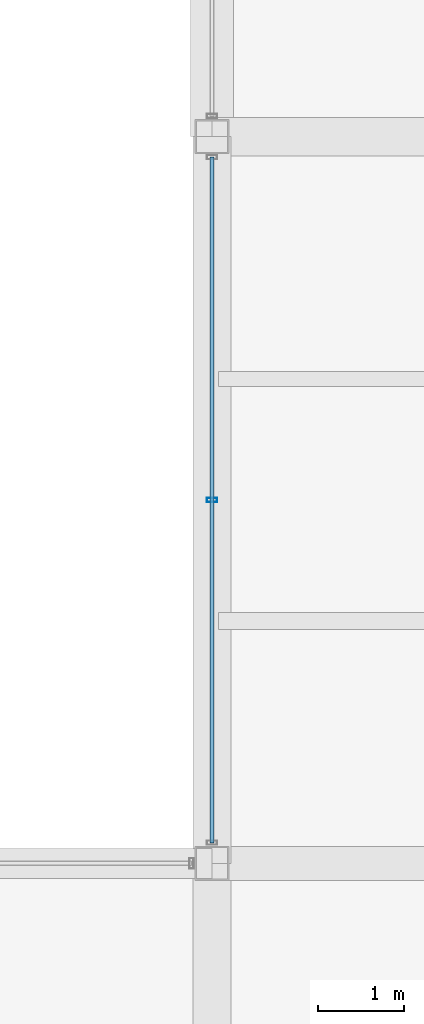
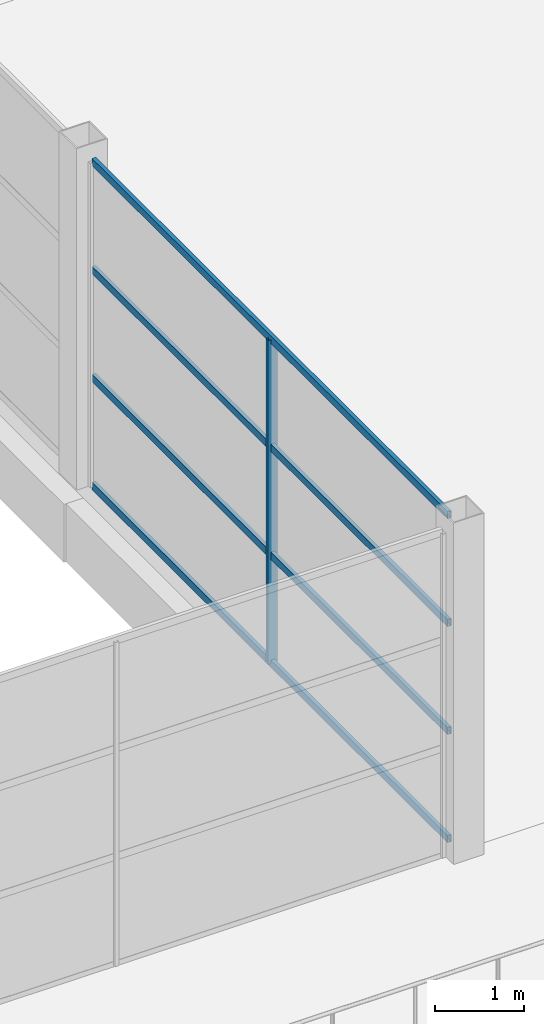
# One storey, part 70 of 112: 5 members, 1 element without a shape of its own.
"""IFC4 building model written with IfcOpenShell, lengths in metres."""

from ifc_helpers import new_model, si_unit, direction, frame, origin, origin_2d, place, context, subcontext, project, spatial, hollow_rectangle, extrude, material, material_profile, profile_set, type_object, element, aggregate, save


model = new_model("IFC4")

# Units and contexts
model_context = context("Model", 3, precision=1e-05, world=origin(), true_north=direction((0.0, 1.0)))
body_context = subcontext(model_context, "Body", "Model", "MODEL_VIEW")
ifc_project = project(units=[si_unit("LENGTHUNIT", "METRE"), si_unit("AREAUNIT", "SQUARE_METRE"), si_unit("VOLUMEUNIT", "CUBIC_METRE"), si_unit("PLANEANGLEUNIT", "RADIAN"), si_unit("MASSUNIT", "GRAM", prefix="KILO")], contexts=[model_context])

# Site, building, storey
site_placement = place(None, origin())
site = spatial("IfcSite", under=ifc_project, at=site_placement, CompositionType="ELEMENT")
building_placement = place(site_placement, origin())
building = spatial("IfcBuilding", under=site, at=building_placement, Name="Solvikara Media Centre", CompositionType="ELEMENT")
storey_placement = place(building_placement, frame((0.0, 0.0, 5.39990234375)))
storey = spatial("IfcBuildingStorey", under=building, at=storey_placement, Name="L01", CompositionType="ELEMENT", Elevation=5.39990234375)

# Curtain wall, members
ifc_material = material(Name="Anodised aluminium EN AW-6063", Category="aluminium")
curtain_wall_type = type_object("IfcCurtainWallType", Name="CW-12", PredefinedType="NOTDEFINED", material=ifc_material)
curtain_wall_placement = place(storey_placement, origin())
curtain_wall = element("IfcCurtainWall", 1, at=curtain_wall_placement, inside=storey, type_object=curtain_wall_type, Name="CW-L01-CRT-2-S1", PredefinedType="NOTDEFINED")
ifc_material_profile_1 = material_profile(ifc_material, hollow_rectangle(XDim=0.050048828125, YDim=0.1201171875, WallThickness=0.0029296875, at=origin_2d()), Name="ALU-M 50x120x3")
ifc_profile_set_1 = profile_set([ifc_material_profile_1], Name="Anodised aluminium EN AW-6063")
member_type_1 = type_object("IfcMemberType", Name="MF-06", PredefinedType="MULLION", material=ifc_profile_set_1)
member_1_placement = place(storey_placement, frame((154.5, 76.25, 0.02001953125), z_axis=(0.0, 0.0, 1.0), x_axis=(0.0, 1.0, 0.0)))
member_1 = element("IfcMember", 2, at=member_1_placement, type_object=member_type_1, Name="CW-L01-CRT-2-S1-M01", PredefinedType="MULLION", context=body_context, shape_type="SweptSolid", body=[
    extrude(hollow_rectangle(XDim=0.050048828125, YDim=0.1201171875, WallThickness=0.0029296875, at=origin_2d()), origin(), (0.0, 0.0, 1.0), 4.4599609375),
])
ifc_material_profile_2 = material_profile(ifc_material, hollow_rectangle(XDim=0.050048828125, YDim=0.10009765625, WallThickness=0.0029296875, at=origin_2d()), Name="ALU-T 50x100x3")
ifc_profile_set_2 = profile_set([ifc_material_profile_2], Name="Anodised aluminium EN AW-6063")
member_type_2 = type_object("IfcMemberType", Name="MF-12", PredefinedType="USERDEFINED", material=ifc_profile_set_2)
member_2_placement = place(storey_placement, frame((154.5, 72.239990234375, 0.02001953125), z_axis=(0.0, 1.0, 0.0), x_axis=(-1.0, 0.0, 0.0)))
member_2 = element("IfcMember", 3, at=member_2_placement, type_object=member_type_2, Name="CW-L01-CRT-2-S1-T00", ObjectType="TRANSOM", PredefinedType="USERDEFINED", context=body_context, shape_type="SweptSolid", body=[
    extrude(hollow_rectangle(XDim=0.050048828125, YDim=0.10009765625, WallThickness=0.0029296875, at=origin_2d()), origin(), (0.0, 0.0, 1.0), 8.02001953125),
])
member_3_placement = place(storey_placement, frame((154.5, 72.239990234375, 1.507080078125), z_axis=(0.0, 1.0, 0.0), x_axis=(-1.0, 0.0, 0.0)))
member_3 = element("IfcMember", 4, at=member_3_placement, type_object=member_type_2, Name="CW-L01-CRT-2-S1-T01", ObjectType="TRANSOM", PredefinedType="USERDEFINED", context=body_context, shape_type="SweptSolid", body=[
    extrude(hollow_rectangle(XDim=0.050048828125, YDim=0.10009765625, WallThickness=0.0029296875, at=origin_2d()), origin(), (0.0, 0.0, 1.0), 8.02001953125),
])
member_4_placement = place(storey_placement, frame((154.5, 72.239990234375, 2.9931640625), z_axis=(0.0, 1.0, 0.0), x_axis=(-1.0, 0.0, 0.0)))
member_4 = element("IfcMember", 5, at=member_4_placement, type_object=member_type_2, Name="CW-L01-CRT-2-S1-T02", ObjectType="TRANSOM", PredefinedType="USERDEFINED", context=body_context, shape_type="SweptSolid", body=[
    extrude(hollow_rectangle(XDim=0.050048828125, YDim=0.10009765625, WallThickness=0.0029296875, at=origin_2d()), origin(), (0.0, 0.0, 1.0), 8.02001953125),
])
member_5_placement = place(storey_placement, frame((154.5, 72.239990234375, 4.47998046875), z_axis=(0.0, 1.0, 0.0), x_axis=(-1.0, 0.0, 0.0)))
member_5 = element("IfcMember", 6, at=member_5_placement, type_object=member_type_2, Name="CW-L01-CRT-2-S1-T03", ObjectType="TRANSOM", PredefinedType="USERDEFINED", context=body_context, shape_type="SweptSolid", body=[
    extrude(hollow_rectangle(XDim=0.050048828125, YDim=0.10009765625, WallThickness=0.0029296875, at=origin_2d()), origin(), (0.0, 0.0, 1.0), 8.02001953125),
])
aggregate(curtain_wall, [member_1, member_2, member_3, member_4, member_5])

save(model, "model.ifc")
